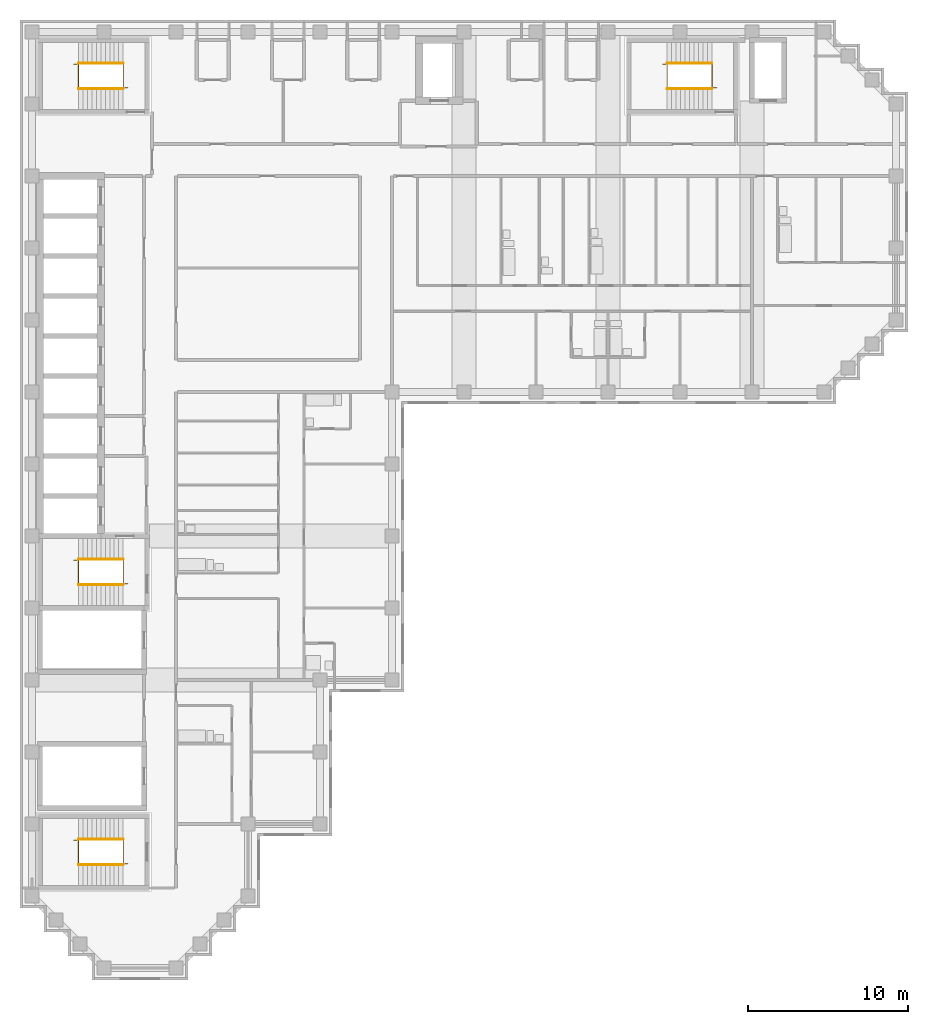
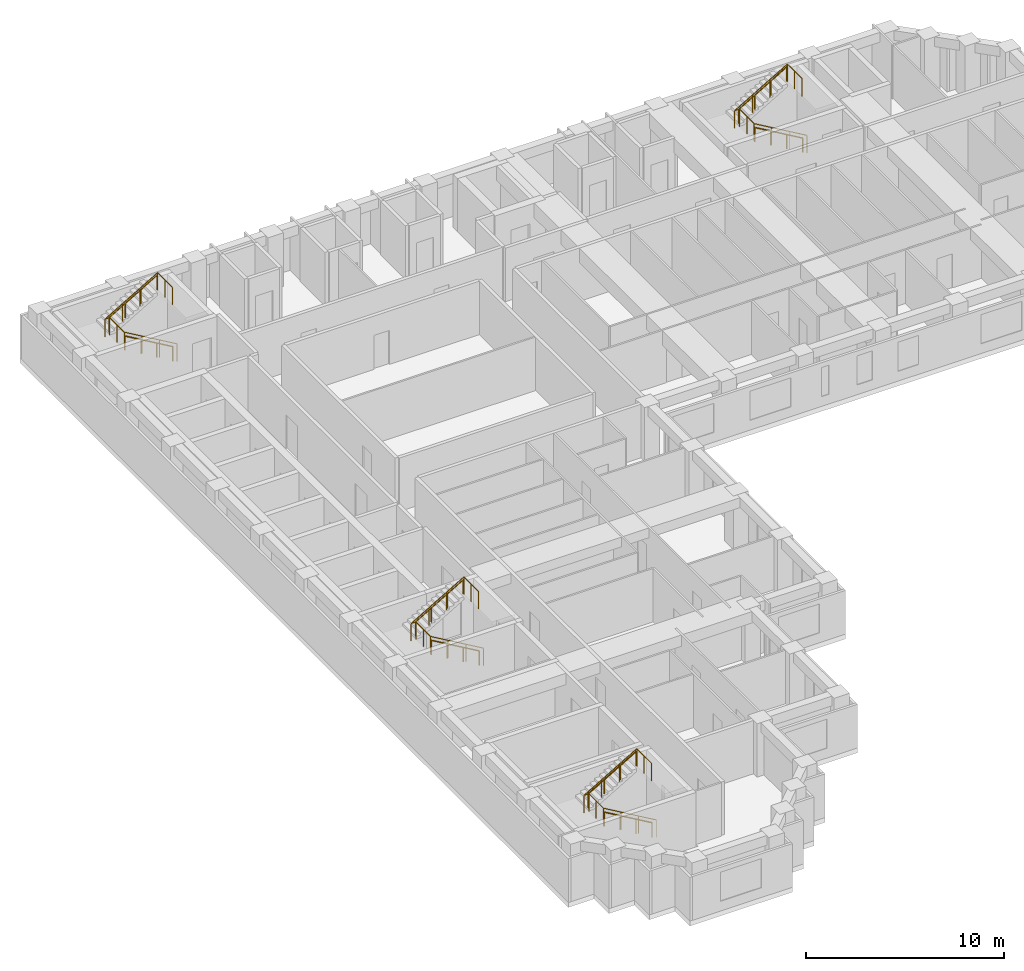
# One storey, part 9 of 10: 12 railings.
"""IFC4 building model written with IfcOpenShell, lengths in metres."""

from ifc_helpers import new_model, si_unit, direction, frame, origin, origin_2d, place, context, subcontext, project, spatial, circle, extrude, material, type_object, element, save


model = new_model("IFC4")

# Units and contexts
model_context = context("Model", 3, precision=1e-05, world=origin(), true_north=direction((0.0, 1.0)))
body_context = subcontext(model_context, "Body", "Model", "MODEL_VIEW")
ifc_project = project(units=[si_unit("LENGTHUNIT", "METRE"), si_unit("AREAUNIT", "SQUARE_METRE"), si_unit("VOLUMEUNIT", "CUBIC_METRE"), si_unit("PLANEANGLEUNIT", "RADIAN"), si_unit("MASSUNIT", "GRAM", prefix="KILO")], contexts=[model_context])

# Site, building, storey
site_placement = place(None, origin())
site = spatial("IfcSite", under=ifc_project, at=site_placement, CompositionType="ELEMENT")
building_placement = place(site_placement, origin())
building = spatial("IfcBuilding", under=site, at=building_placement, Name="Firuza Court", CompositionType="ELEMENT")
storey_placement = place(building_placement, frame((0.0, 0.0, 204.199951171875)))
storey = spatial("IfcBuildingStorey", under=building, at=storey_placement, Name="L52", CompositionType="ELEMENT", Elevation=204.199951171875)

# Railings
ifc_material_1 = material(Name="Steel S355", Category="steel")
railing_type_1 = type_object("IfcRailingType", Name="Handrail 900", PredefinedType="HANDRAIL", material=ifc_material_1)
railing_1_placement = place(storey_placement, frame((42.5, 54.949951171875, 0.16357421875)))
element("IfcRailing", 1, at=railing_1_placement, inside=storey, type_object=railing_type_1, Name="Handrail S1 flight 1", PredefinedType="HANDRAIL", context=body_context, shape_type="SweptSolid", body=[
    extrude(circle(Radius=0.02490234375, at=origin_2d()), frame((0.0, 0.0, 0.875), z_axis=(-0.863360870873, 0.0, 0.504586966384), x_axis=(0.0, -1.0, 0.0)), (0.0, 0.0, 1.0), 3.2431640625),
    extrude(circle(Radius=0.02001953125, at=origin_2d()), origin(), (0.0, 0.0, 1.0), 0.849853515625),
    extrude(circle(Radius=0.02001953125, at=origin_2d()), frame((-0.933349609375, 0.0, 0.54541015625)), (0.0, 0.0, 1.0), 0.849853515625),
    extrude(circle(Radius=0.02001953125, at=origin_2d()), frame((-1.86669921875, 0.0, 1.091064453125)), (0.0, 0.0, 1.0), 0.849853515625),
    extrude(circle(Radius=0.02001953125, at=origin_2d()), frame((-2.800048828125, 0.0, 1.636474609375)), (0.0, 0.0, 1.0), 0.849853515625),
])
railing_2_placement = place(storey_placement, frame((39.699951171875, 56.550048828125, 1.963623046875)))
element("IfcRailing", 2, at=railing_2_placement, inside=storey, type_object=railing_type_1, Name="Handrail S1 flight 2", PredefinedType="HANDRAIL", context=body_context, shape_type="SweptSolid", body=[
    extrude(circle(Radius=0.02490234375, at=origin_2d()), frame((0.0, 0.0, 0.875), z_axis=(0.863360870873, 0.0, 0.504586966384), x_axis=(0.0, 1.0, 0.0)), (0.0, 0.0, 1.0), 3.2431640625),
    extrude(circle(Radius=0.02001953125, at=origin_2d()), origin(), (0.0, 0.0, 1.0), 0.849853515625),
    extrude(circle(Radius=0.02001953125, at=origin_2d()), frame((0.933349609375, 0.0, 0.54541015625)), (0.0, 0.0, 1.0), 0.849853515625),
    extrude(circle(Radius=0.02001953125, at=origin_2d()), frame((1.86669921875, 0.0, 1.091064453125)), (0.0, 0.0, 1.0), 0.849853515625),
    extrude(circle(Radius=0.02001953125, at=origin_2d()), frame((2.800048828125, 0.0, 1.636474609375)), (0.0, 0.0, 1.0), 0.849853515625),
])
railing_3_placement = place(storey_placement, frame((5.699951171875, 23.949951171875, 0.16357421875)))
element("IfcRailing", 3, at=railing_3_placement, inside=storey, type_object=railing_type_1, Name="Handrail S2 flight 1", PredefinedType="HANDRAIL", context=body_context, shape_type="SweptSolid", body=[
    extrude(circle(Radius=0.02490234375, at=origin_2d()), frame((0.0, 0.0, 0.875), z_axis=(-0.863360870873, 0.0, 0.504586966384), x_axis=(0.0, -1.0, 0.0)), (0.0, 0.0, 1.0), 3.2431640625),
    extrude(circle(Radius=0.02001953125, at=origin_2d()), origin(), (0.0, 0.0, 1.0), 0.849853515625),
    extrude(circle(Radius=0.02001953125, at=origin_2d()), frame((-0.933349609375, 0.0, 0.54541015625)), (0.0, 0.0, 1.0), 0.849853515625),
    extrude(circle(Radius=0.02001953125, at=origin_2d()), frame((-1.86669921875, 0.0, 1.091064453125)), (0.0, 0.0, 1.0), 0.849853515625),
    extrude(circle(Radius=0.02001953125, at=origin_2d()), frame((-2.800048828125, 0.0, 1.636474609375)), (0.0, 0.0, 1.0), 0.849853515625),
])
railing_4_placement = place(storey_placement, frame((2.89990234375, 25.550048828125, 1.963623046875)))
element("IfcRailing", 4, at=railing_4_placement, inside=storey, type_object=railing_type_1, Name="Handrail S2 flight 2", PredefinedType="HANDRAIL", context=body_context, shape_type="SweptSolid", body=[
    extrude(circle(Radius=0.02490234375, at=origin_2d()), frame((0.0, 0.0, 0.875), z_axis=(0.863360870873, 0.0, 0.504586966384), x_axis=(0.0, 1.0, 0.0)), (0.0, 0.0, 1.0), 3.2431640625),
    extrude(circle(Radius=0.02001953125, at=origin_2d()), origin(), (0.0, 0.0, 1.0), 0.849853515625),
    extrude(circle(Radius=0.02001953125, at=origin_2d()), frame((0.933349609375, 0.0, 0.54541015625)), (0.0, 0.0, 1.0), 0.849853515625),
    extrude(circle(Radius=0.02001953125, at=origin_2d()), frame((1.86669921875, 0.0, 1.091064453125)), (0.0, 0.0, 1.0), 0.849853515625),
    extrude(circle(Radius=0.02001953125, at=origin_2d()), frame((2.800048828125, 0.0, 1.636474609375)), (0.0, 0.0, 1.0), 0.849853515625),
])
railing_5_placement = place(storey_placement, frame((5.699951171875, 54.949951171875, 0.16357421875)))
element("IfcRailing", 5, at=railing_5_placement, inside=storey, type_object=railing_type_1, Name="Handrail S3 flight 1", PredefinedType="HANDRAIL", context=body_context, shape_type="SweptSolid", body=[
    extrude(circle(Radius=0.02490234375, at=origin_2d()), frame((0.0, 0.0, 0.875), z_axis=(-0.863360870873, 0.0, 0.504586966384), x_axis=(0.0, -1.0, 0.0)), (0.0, 0.0, 1.0), 3.2431640625),
    extrude(circle(Radius=0.02001953125, at=origin_2d()), origin(), (0.0, 0.0, 1.0), 0.849853515625),
    extrude(circle(Radius=0.02001953125, at=origin_2d()), frame((-0.933349609375, 0.0, 0.54541015625)), (0.0, 0.0, 1.0), 0.849853515625),
    extrude(circle(Radius=0.02001953125, at=origin_2d()), frame((-1.86669921875, 0.0, 1.091064453125)), (0.0, 0.0, 1.0), 0.849853515625),
    extrude(circle(Radius=0.02001953125, at=origin_2d()), frame((-2.800048828125, 0.0, 1.636474609375)), (0.0, 0.0, 1.0), 0.849853515625),
])
railing_6_placement = place(storey_placement, frame((2.89990234375, 56.550048828125, 1.963623046875)))
element("IfcRailing", 6, at=railing_6_placement, inside=storey, type_object=railing_type_1, Name="Handrail S3 flight 2", PredefinedType="HANDRAIL", context=body_context, shape_type="SweptSolid", body=[
    extrude(circle(Radius=0.02490234375, at=origin_2d()), frame((0.0, 0.0, 0.875), z_axis=(0.863360870873, 0.0, 0.504586966384), x_axis=(0.0, 1.0, 0.0)), (0.0, 0.0, 1.0), 3.2431640625),
    extrude(circle(Radius=0.02001953125, at=origin_2d()), origin(), (0.0, 0.0, 1.0), 0.849853515625),
    extrude(circle(Radius=0.02001953125, at=origin_2d()), frame((0.933349609375, 0.0, 0.54541015625)), (0.0, 0.0, 1.0), 0.849853515625),
    extrude(circle(Radius=0.02001953125, at=origin_2d()), frame((1.86669921875, 0.0, 1.091064453125)), (0.0, 0.0, 1.0), 0.849853515625),
    extrude(circle(Radius=0.02001953125, at=origin_2d()), frame((2.800048828125, 0.0, 1.636474609375)), (0.0, 0.0, 1.0), 0.849853515625),
])
railing_7_placement = place(storey_placement, frame((5.699951171875, 6.449951171875, 0.16357421875)))
element("IfcRailing", 7, at=railing_7_placement, inside=storey, type_object=railing_type_1, Name="Handrail S5 flight 1", PredefinedType="HANDRAIL", context=body_context, shape_type="SweptSolid", body=[
    extrude(circle(Radius=0.02490234375, at=origin_2d()), frame((0.0, 0.0, 0.875), z_axis=(-0.863360870873, 0.0, 0.504586966384), x_axis=(0.0, -1.0, 0.0)), (0.0, 0.0, 1.0), 3.2431640625),
    extrude(circle(Radius=0.02001953125, at=origin_2d()), origin(), (0.0, 0.0, 1.0), 0.849853515625),
    extrude(circle(Radius=0.02001953125, at=origin_2d()), frame((-0.933349609375, 0.0, 0.54541015625)), (0.0, 0.0, 1.0), 0.849853515625),
    extrude(circle(Radius=0.02001953125, at=origin_2d()), frame((-1.86669921875, 0.0, 1.091064453125)), (0.0, 0.0, 1.0), 0.849853515625),
    extrude(circle(Radius=0.02001953125, at=origin_2d()), frame((-2.800048828125, 0.0, 1.636474609375)), (0.0, 0.0, 1.0), 0.849853515625),
])
railing_8_placement = place(storey_placement, frame((2.89990234375, 8.050048828125, 1.963623046875)))
element("IfcRailing", 8, at=railing_8_placement, inside=storey, type_object=railing_type_1, Name="Handrail S5 flight 2", PredefinedType="HANDRAIL", context=body_context, shape_type="SweptSolid", body=[
    extrude(circle(Radius=0.02490234375, at=origin_2d()), frame((0.0, 0.0, 0.875), z_axis=(0.863360870873, 0.0, 0.504586966384), x_axis=(0.0, 1.0, 0.0)), (0.0, 0.0, 1.0), 3.2431640625),
    extrude(circle(Radius=0.02001953125, at=origin_2d()), origin(), (0.0, 0.0, 1.0), 0.849853515625),
    extrude(circle(Radius=0.02001953125, at=origin_2d()), frame((0.933349609375, 0.0, 0.54541015625)), (0.0, 0.0, 1.0), 0.849853515625),
    extrude(circle(Radius=0.02001953125, at=origin_2d()), frame((1.86669921875, 0.0, 1.091064453125)), (0.0, 0.0, 1.0), 0.849853515625),
    extrude(circle(Radius=0.02001953125, at=origin_2d()), frame((2.800048828125, 0.0, 1.636474609375)), (0.0, 0.0, 1.0), 0.849853515625),
])
ifc_material_2 = material(Name="Steel S355", Category="steel")
railing_type_2 = type_object("IfcRailingType", Name="Stair guard 1100", PredefinedType="GUARDRAIL", material=ifc_material_2)
railing_9_placement = place(storey_placement, frame((42.780029296875, 55.010009765625, 0.0)))
element("IfcRailing", 9, at=railing_9_placement, inside=storey, type_object=railing_type_2, Name="Stair well guard S1", PredefinedType="GUARDRAIL", context=body_context, shape_type="SweptSolid", body=[
    extrude(circle(Radius=0.02490234375, at=origin_2d()), frame((0.0, 0.0, 1.0751953125), z_axis=(-0.863371556955, 0.0, 0.504568681787), x_axis=(0.0, -1.0, 0.0)), (0.0, 0.0, 1.0), 3.5673828125),
    extrude(circle(Radius=0.02490234375, at=origin_2d()), frame((-3.080078125, 0.0, 2.875), z_axis=(0.0, 1.0, 0.0), x_axis=(-1.0, 0.0, 0.0)), (0.0, 0.0, 1.0), 1.47998046875),
    extrude(circle(Radius=0.02490234375, at=origin_2d()), frame((-3.080078125, 1.47998046875, 2.875), z_axis=(-1.0, 0.0, 0.0), x_axis=(0.0, -1.0, 0.0)), (0.0, 0.0, 1.0), 0.280029296875),
    extrude(circle(Radius=0.02490234375, at=origin_2d()), frame((-3.360107421875, 1.47998046875, 2.875), z_axis=(0.863371556955, 0.0, 0.504568681787), x_axis=(0.0, 1.0, 0.0)), (0.0, 0.0, 1.0), 3.5673828125),
    extrude(circle(Radius=0.02490234375, at=origin_2d()), frame((-0.280029296875, 1.47998046875, 4.67529296875), z_axis=(0.0, -1.0, 0.0), x_axis=(1.0, 0.0, 0.0)), (0.0, 0.0, 1.0), 1.47998046875),
    extrude(circle(Radius=0.02490234375, at=origin_2d()), origin(), (0.0, 0.0, 1.0), 1.050048828125),
    extrude(circle(Radius=0.02490234375, at=origin_2d()), frame((-1.026611328125, 0.0, 0.60009765625)), (0.0, 0.0, 1.0), 1.050048828125),
    extrude(circle(Radius=0.02490234375, at=origin_2d()), frame((-2.053466796875, 0.0, 1.199951171875)), (0.0, 0.0, 1.0), 1.050048828125),
    extrude(circle(Radius=0.02490234375, at=origin_2d()), frame((-3.080078125, 0.0, 1.800048828125)), (0.0, 0.0, 1.0), 1.050048828125),
    extrude(circle(Radius=0.02490234375, at=origin_2d()), frame((-3.080078125, 0.739990234375, 1.800048828125)), (0.0, 0.0, 1.0), 1.050048828125),
    extrude(circle(Radius=0.02490234375, at=origin_2d()), frame((-3.080078125, 1.47998046875, 1.800048828125)), (0.0, 0.0, 1.0), 1.050048828125),
    extrude(circle(Radius=0.02490234375, at=origin_2d()), frame((-3.360107421875, 1.47998046875, 1.800048828125)), (0.0, 0.0, 1.0), 1.050048828125),
    extrude(circle(Radius=0.02490234375, at=origin_2d()), frame((-2.33349609375, 1.47998046875, 2.400146484375)), (0.0, 0.0, 1.0), 1.050048828125),
    extrude(circle(Radius=0.02490234375, at=origin_2d()), frame((-1.306640625, 1.47998046875, 3.0)), (0.0, 0.0, 1.0), 1.050048828125),
    extrude(circle(Radius=0.02490234375, at=origin_2d()), frame((-0.280029296875, 1.47998046875, 3.60009765625)), (0.0, 0.0, 1.0), 1.050048828125),
    extrude(circle(Radius=0.02490234375, at=origin_2d()), frame((-0.280029296875, 0.739990234375, 3.60009765625)), (0.0, 0.0, 1.0), 1.050048828125),
    extrude(circle(Radius=0.02490234375, at=origin_2d()), frame((-0.280029296875, 0.0, 3.60009765625)), (0.0, 0.0, 1.0), 1.050048828125),
])
railing_10_placement = place(storey_placement, frame((5.97998046875, 24.010009765625, 0.0)))
element("IfcRailing", 10, at=railing_10_placement, inside=storey, type_object=railing_type_2, Name="Stair well guard S2", PredefinedType="GUARDRAIL", context=body_context, shape_type="SweptSolid", body=[
    extrude(circle(Radius=0.02490234375, at=origin_2d()), frame((0.0, 0.0, 1.0751953125), z_axis=(-0.863371556955, 0.0, 0.504568681787), x_axis=(0.0, -1.0, 0.0)), (0.0, 0.0, 1.0), 3.5673828125),
    extrude(circle(Radius=0.02490234375, at=origin_2d()), frame((-3.080078125, 0.0, 2.875), z_axis=(0.0, 1.0, 0.0), x_axis=(-1.0, 0.0, 0.0)), (0.0, 0.0, 1.0), 1.47998046875),
    extrude(circle(Radius=0.02490234375, at=origin_2d()), frame((-3.080078125, 1.47998046875, 2.875), z_axis=(-1.0, 0.0, 0.0), x_axis=(0.0, -1.0, 0.0)), (0.0, 0.0, 1.0), 0.27978515625),
    extrude(circle(Radius=0.02490234375, at=origin_2d()), frame((-3.35986328125, 1.47998046875, 2.875), z_axis=(0.863354132664, 0.0, 0.504598495452), x_axis=(0.0, 1.0, 0.0)), (0.0, 0.0, 1.0), 3.5673828125),
    extrude(circle(Radius=0.02490234375, at=origin_2d()), frame((-0.280029296875, 1.47998046875, 4.67529296875), z_axis=(0.0, -1.0, 0.0), x_axis=(1.0, 0.0, 0.0)), (0.0, 0.0, 1.0), 1.47998046875),
    extrude(circle(Radius=0.02490234375, at=origin_2d()), origin(), (0.0, 0.0, 1.0), 1.050048828125),
    extrude(circle(Radius=0.02490234375, at=origin_2d()), frame((-1.026611328125, 0.0, 0.60009765625)), (0.0, 0.0, 1.0), 1.050048828125),
    extrude(circle(Radius=0.02490234375, at=origin_2d()), frame((-2.053466796875, 0.0, 1.199951171875)), (0.0, 0.0, 1.0), 1.050048828125),
    extrude(circle(Radius=0.02490234375, at=origin_2d()), frame((-3.080078125, 0.0, 1.800048828125)), (0.0, 0.0, 1.0), 1.050048828125),
    extrude(circle(Radius=0.02490234375, at=origin_2d()), frame((-3.080078125, 0.739990234375, 1.800048828125)), (0.0, 0.0, 1.0), 1.050048828125),
    extrude(circle(Radius=0.02490234375, at=origin_2d()), frame((-3.080078125, 1.47998046875, 1.800048828125)), (0.0, 0.0, 1.0), 1.050048828125),
    extrude(circle(Radius=0.02490234375, at=origin_2d()), frame((-3.35986328125, 1.47998046875, 1.800048828125)), (0.0, 0.0, 1.0), 1.050048828125),
    extrude(circle(Radius=0.02490234375, at=origin_2d()), frame((-2.333251953125, 1.47998046875, 2.400146484375)), (0.0, 0.0, 1.0), 1.050048828125),
    extrude(circle(Radius=0.02490234375, at=origin_2d()), frame((-1.306640625, 1.47998046875, 3.0)), (0.0, 0.0, 1.0), 1.050048828125),
    extrude(circle(Radius=0.02490234375, at=origin_2d()), frame((-0.280029296875, 1.47998046875, 3.60009765625)), (0.0, 0.0, 1.0), 1.050048828125),
    extrude(circle(Radius=0.02490234375, at=origin_2d()), frame((-0.280029296875, 0.739990234375, 3.60009765625)), (0.0, 0.0, 1.0), 1.050048828125),
    extrude(circle(Radius=0.02490234375, at=origin_2d()), frame((-0.280029296875, 0.0, 3.60009765625)), (0.0, 0.0, 1.0), 1.050048828125),
])
railing_11_placement = place(storey_placement, frame((5.97998046875, 55.010009765625, 0.0)))
element("IfcRailing", 11, at=railing_11_placement, inside=storey, type_object=railing_type_2, Name="Stair well guard S3", PredefinedType="GUARDRAIL", context=body_context, shape_type="SweptSolid", body=[
    extrude(circle(Radius=0.02490234375, at=origin_2d()), frame((0.0, 0.0, 1.0751953125), z_axis=(-0.863371556955, 0.0, 0.504568681787), x_axis=(0.0, -1.0, 0.0)), (0.0, 0.0, 1.0), 3.5673828125),
    extrude(circle(Radius=0.02490234375, at=origin_2d()), frame((-3.080078125, 0.0, 2.875), z_axis=(0.0, 1.0, 0.0), x_axis=(-1.0, 0.0, 0.0)), (0.0, 0.0, 1.0), 1.47998046875),
    extrude(circle(Radius=0.02490234375, at=origin_2d()), frame((-3.080078125, 1.47998046875, 2.875), z_axis=(-1.0, 0.0, 0.0), x_axis=(0.0, -1.0, 0.0)), (0.0, 0.0, 1.0), 0.27978515625),
    extrude(circle(Radius=0.02490234375, at=origin_2d()), frame((-3.35986328125, 1.47998046875, 2.875), z_axis=(0.863354132664, 0.0, 0.504598495452), x_axis=(0.0, 1.0, 0.0)), (0.0, 0.0, 1.0), 3.5673828125),
    extrude(circle(Radius=0.02490234375, at=origin_2d()), frame((-0.280029296875, 1.47998046875, 4.67529296875), z_axis=(0.0, -1.0, 0.0), x_axis=(1.0, 0.0, 0.0)), (0.0, 0.0, 1.0), 1.47998046875),
    extrude(circle(Radius=0.02490234375, at=origin_2d()), origin(), (0.0, 0.0, 1.0), 1.050048828125),
    extrude(circle(Radius=0.02490234375, at=origin_2d()), frame((-1.026611328125, 0.0, 0.60009765625)), (0.0, 0.0, 1.0), 1.050048828125),
    extrude(circle(Radius=0.02490234375, at=origin_2d()), frame((-2.053466796875, 0.0, 1.199951171875)), (0.0, 0.0, 1.0), 1.050048828125),
    extrude(circle(Radius=0.02490234375, at=origin_2d()), frame((-3.080078125, 0.0, 1.800048828125)), (0.0, 0.0, 1.0), 1.050048828125),
    extrude(circle(Radius=0.02490234375, at=origin_2d()), frame((-3.080078125, 0.739990234375, 1.800048828125)), (0.0, 0.0, 1.0), 1.050048828125),
    extrude(circle(Radius=0.02490234375, at=origin_2d()), frame((-3.080078125, 1.47998046875, 1.800048828125)), (0.0, 0.0, 1.0), 1.050048828125),
    extrude(circle(Radius=0.02490234375, at=origin_2d()), frame((-3.35986328125, 1.47998046875, 1.800048828125)), (0.0, 0.0, 1.0), 1.050048828125),
    extrude(circle(Radius=0.02490234375, at=origin_2d()), frame((-2.333251953125, 1.47998046875, 2.400146484375)), (0.0, 0.0, 1.0), 1.050048828125),
    extrude(circle(Radius=0.02490234375, at=origin_2d()), frame((-1.306640625, 1.47998046875, 3.0)), (0.0, 0.0, 1.0), 1.050048828125),
    extrude(circle(Radius=0.02490234375, at=origin_2d()), frame((-0.280029296875, 1.47998046875, 3.60009765625)), (0.0, 0.0, 1.0), 1.050048828125),
    extrude(circle(Radius=0.02490234375, at=origin_2d()), frame((-0.280029296875, 0.739990234375, 3.60009765625)), (0.0, 0.0, 1.0), 1.050048828125),
    extrude(circle(Radius=0.02490234375, at=origin_2d()), frame((-0.280029296875, 0.0, 3.60009765625)), (0.0, 0.0, 1.0), 1.050048828125),
])
railing_12_placement = place(storey_placement, frame((5.97998046875, 6.510009765625, 0.0)))
element("IfcRailing", 12, at=railing_12_placement, inside=storey, type_object=railing_type_2, Name="Stair well guard S5", PredefinedType="GUARDRAIL", context=body_context, shape_type="SweptSolid", body=[
    extrude(circle(Radius=0.02490234375, at=origin_2d()), frame((0.0, 0.0, 1.0751953125), z_axis=(-0.863371556955, 0.0, 0.504568681787), x_axis=(0.0, -1.0, 0.0)), (0.0, 0.0, 1.0), 3.5673828125),
    extrude(circle(Radius=0.02490234375, at=origin_2d()), frame((-3.080078125, 0.0, 2.875), z_axis=(0.0, 1.0, 0.0), x_axis=(-1.0, 0.0, 0.0)), (0.0, 0.0, 1.0), 1.47998046875),
    extrude(circle(Radius=0.02490234375, at=origin_2d()), frame((-3.080078125, 1.47998046875, 2.875), z_axis=(-1.0, 0.0, 0.0), x_axis=(0.0, -1.0, 0.0)), (0.0, 0.0, 1.0), 0.27978515625),
    extrude(circle(Radius=0.02490234375, at=origin_2d()), frame((-3.35986328125, 1.47998046875, 2.875), z_axis=(0.863354132664, 0.0, 0.504598495452), x_axis=(0.0, 1.0, 0.0)), (0.0, 0.0, 1.0), 3.5673828125),
    extrude(circle(Radius=0.02490234375, at=origin_2d()), frame((-0.280029296875, 1.47998046875, 4.67529296875), z_axis=(0.0, -1.0, 0.0), x_axis=(1.0, 0.0, 0.0)), (0.0, 0.0, 1.0), 1.47998046875),
    extrude(circle(Radius=0.02490234375, at=origin_2d()), origin(), (0.0, 0.0, 1.0), 1.050048828125),
    extrude(circle(Radius=0.02490234375, at=origin_2d()), frame((-1.026611328125, 0.0, 0.60009765625)), (0.0, 0.0, 1.0), 1.050048828125),
    extrude(circle(Radius=0.02490234375, at=origin_2d()), frame((-2.053466796875, 0.0, 1.199951171875)), (0.0, 0.0, 1.0), 1.050048828125),
    extrude(circle(Radius=0.02490234375, at=origin_2d()), frame((-3.080078125, 0.0, 1.800048828125)), (0.0, 0.0, 1.0), 1.050048828125),
    extrude(circle(Radius=0.02490234375, at=origin_2d()), frame((-3.080078125, 0.739990234375, 1.800048828125)), (0.0, 0.0, 1.0), 1.050048828125),
    extrude(circle(Radius=0.02490234375, at=origin_2d()), frame((-3.080078125, 1.47998046875, 1.800048828125)), (0.0, 0.0, 1.0), 1.050048828125),
    extrude(circle(Radius=0.02490234375, at=origin_2d()), frame((-3.35986328125, 1.47998046875, 1.800048828125)), (0.0, 0.0, 1.0), 1.050048828125),
    extrude(circle(Radius=0.02490234375, at=origin_2d()), frame((-2.333251953125, 1.47998046875, 2.400146484375)), (0.0, 0.0, 1.0), 1.050048828125),
    extrude(circle(Radius=0.02490234375, at=origin_2d()), frame((-1.306640625, 1.47998046875, 3.0)), (0.0, 0.0, 1.0), 1.050048828125),
    extrude(circle(Radius=0.02490234375, at=origin_2d()), frame((-0.280029296875, 1.47998046875, 3.60009765625)), (0.0, 0.0, 1.0), 1.050048828125),
    extrude(circle(Radius=0.02490234375, at=origin_2d()), frame((-0.280029296875, 0.739990234375, 3.60009765625)), (0.0, 0.0, 1.0), 1.050048828125),
    extrude(circle(Radius=0.02490234375, at=origin_2d()), frame((-0.280029296875, 0.0, 3.60009765625)), (0.0, 0.0, 1.0), 1.050048828125),
])

save(model, "model.ifc")
